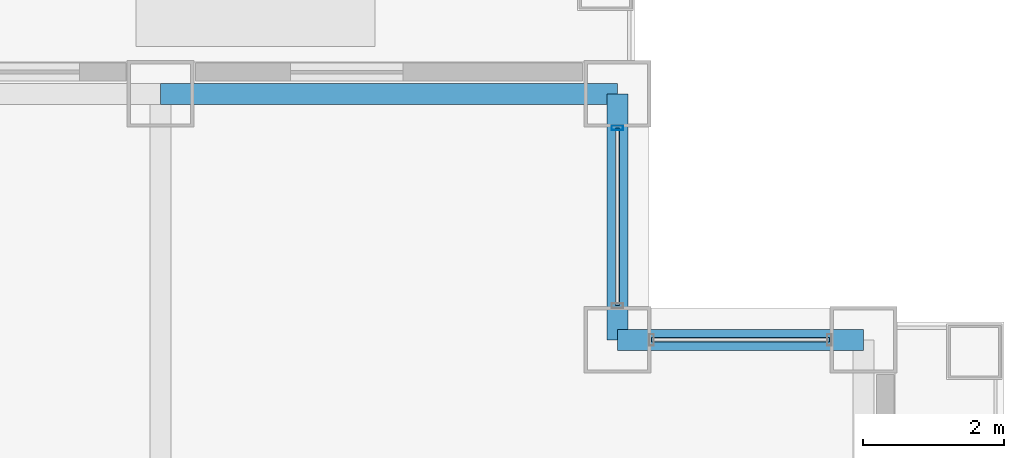
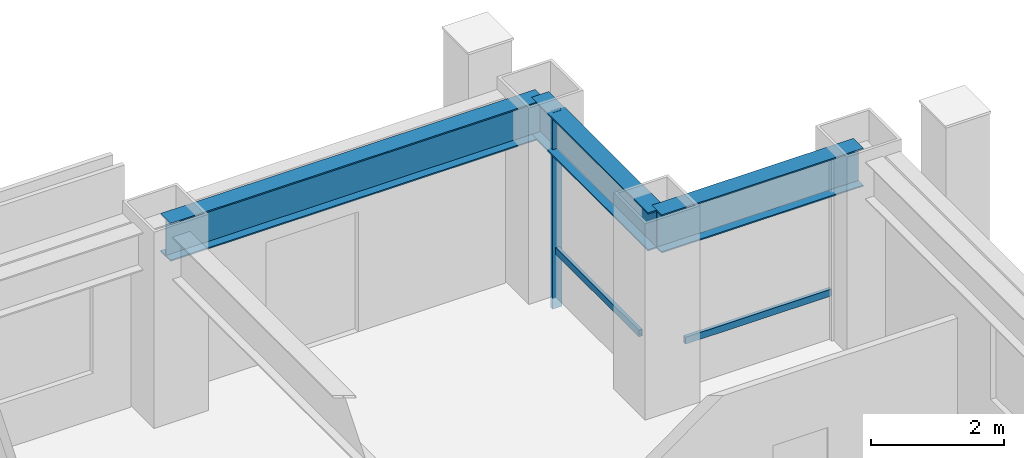
# One storey, part 22 of 31: 3 beams, 3 members, 2 elements without a shape of their own.
"""IFC4 building model written with IfcOpenShell, lengths in metres."""

from ifc_helpers import new_model, si_unit, direction, frame, origin, origin_2d, place, context, subcontext, project, spatial, hollow_rectangle, i_section, extrude, material, layer, layer_set, material_profile, profile_set, type_object, element, aggregate, save


model = new_model("IFC4")

# Units and contexts
model_context = context("Model", 3, precision=1e-05, world=origin(), true_north=direction((0.0, 1.0)))
body_context = subcontext(model_context, "Body", "Model", "MODEL_VIEW")
ifc_project = project(units=[si_unit("LENGTHUNIT", "METRE"), si_unit("AREAUNIT", "SQUARE_METRE"), si_unit("VOLUMEUNIT", "CUBIC_METRE"), si_unit("PLANEANGLEUNIT", "RADIAN"), si_unit("MASSUNIT", "GRAM", prefix="KILO")], contexts=[model_context])

# Site, building, storey
site_placement = place(None, origin())
site = spatial("IfcSite", under=ifc_project, at=site_placement, CompositionType="ELEMENT")
building_placement = place(site_placement, origin())
building = spatial("IfcBuilding", under=site, at=building_placement, Name="Brelmoor Portico Tower", CompositionType="ELEMENT")
storey_placement = place(building_placement, frame((0.0, 0.0, 38.39990234375)))
storey = spatial("IfcBuildingStorey", under=building, at=storey_placement, Name="L09", CompositionType="ELEMENT", Elevation=38.39990234375)

# Beams
ifc_material_1 = material(Name="Steel Q355B", Category="steel")
ifc_material_profile_1 = material_profile(ifc_material_1, i_section(OverallWidth=0.300048828125, OverallDepth=0.699951171875, WebThickness=0.012939453125, FlangeThickness=0.02392578125, at=origin_2d()), Name="HN 700x300x13x24")
ifc_profile_set_1 = profile_set([ifc_material_profile_1], Name="Steel Q355B")
beam_type = type_object("IfcBeamType", Name="BM-SP-700", PredefinedType="SPANDREL", material=ifc_profile_set_1)
beam_1_placement = place(storey_placement, frame((21.050048828125, 18.050048828125, 3.050048828125), z_axis=(1.0, 0.0, 0.0), x_axis=(0.0, 1.0, 0.0)))
element("IfcBeam", 1, at=beam_1_placement, inside=storey, type_object=beam_type, Name="L09 Perimeter Spandrel Beam SP-09", PredefinedType="SPANDREL", context=body_context, shape_type="SweptSolid", body=[
    extrude(i_section(OverallWidth=0.300048828125, OverallDepth=0.699951171875, WebThickness=0.012939453125, FlangeThickness=0.02392578125, at=origin_2d()), origin(), (0.0, 0.0, 1.0), 3.5),
])
beam_2_placement = place(storey_placement, frame((14.550048828125, 21.550048828125, 3.050048828125), z_axis=(1.0, 0.0, 0.0), x_axis=(0.0, 1.0, 0.0)))
element("IfcBeam", 2, at=beam_2_placement, inside=storey, type_object=beam_type, Name="L09 Perimeter Spandrel Beam SP-14", PredefinedType="SPANDREL", context=body_context, shape_type="SweptSolid", body=[
    extrude(i_section(OverallWidth=0.300048828125, OverallDepth=0.699951171875, WebThickness=0.012939453125, FlangeThickness=0.02392578125, at=origin_2d()), origin(), (0.0, 0.0, 1.0), 6.5),
])
beam_3_placement = place(storey_placement, frame((21.050048828125, 18.050048828125, 3.050048828125), z_axis=(0.0, 1.0, 0.0), x_axis=(-1.0, 0.0, 0.0)))
element("IfcBeam", 3, at=beam_3_placement, inside=storey, type_object=beam_type, Name="L09 Perimeter Spandrel Beam SP-21", PredefinedType="SPANDREL", context=body_context, shape_type="SweptSolid", body=[
    extrude(i_section(OverallWidth=0.300048828125, OverallDepth=0.699951171875, WebThickness=0.012939453125, FlangeThickness=0.02392578125, at=origin_2d()), origin(), (0.0, 0.0, 1.0), 3.5),
])

# Curtain wall, member
ifc_material_2 = material(Name="Anodised Aluminium Alloy 6063-T6", Category="aluminium")
ifc_layer = layer(ifc_material_2, 0.179931640625)
ifc_layer_set = layer_set([ifc_layer], Name="Anodised Aluminium Alloy 6063-T6")
curtain_wall_type = type_object("IfcCurtainWallType", Name="CW-NOTCH-CHAMFER", PredefinedType="NOTDEFINED", material=ifc_layer_set)
curtain_wall_1_placement = place(storey_placement, origin())
curtain_wall_1 = element("IfcCurtainWall", 4, at=curtain_wall_1_placement, inside=storey, type_object=curtain_wall_type, Name="L09 Curtain Wall CWN-L09-NEV", PredefinedType="NOTDEFINED")
ifc_material_profile_2 = material_profile(ifc_material_2, hollow_rectangle(XDim=0.06494140625, YDim=0.1650390625, WallThickness=0.00390625, at=origin_2d()), Name="ALU MULLION 65x165")
ifc_profile_set_2 = profile_set([ifc_material_profile_2], Name="Anodised Aluminium Alloy 6063-T6")
member_type_1 = type_object("IfcMemberType", Name="MB-CW-MULL-165", PredefinedType="MULLION", material=ifc_profile_set_2)
member_1_placement = place(storey_placement, frame((21.050048828125, 21.06494140625, -0.199951171875), z_axis=(0.0, 0.0, 1.0), x_axis=(0.0, 1.0, 0.0)))
member_1 = element("IfcMember", 5, at=member_1_placement, type_object=member_type_1, Name="CWN-L09-NEV Mullion 01", PredefinedType="MULLION", context=body_context, shape_type="SweptSolid", body=[
    extrude(hollow_rectangle(XDim=0.06494140625, YDim=0.1650390625, WallThickness=0.00390625, at=origin_2d()), origin(), (0.0, 0.0, 1.0), 3.60009765625),
])

curtain_wall_2_placement = place(storey_placement, origin())
curtain_wall_2 = element("IfcCurtainWall", 6, at=curtain_wall_2_placement, inside=storey, type_object=curtain_wall_type, Name="L09 Curtain Wall CWN-L09-NEH", PredefinedType="NOTDEFINED")
ifc_material_profile_3 = material_profile(ifc_material_2, hollow_rectangle(XDim=0.06005859375, YDim=0.125, WallThickness=0.00341796875, at=origin_2d()), Name="ALU TRANSOM 60x125")
ifc_profile_set_3 = profile_set([ifc_material_profile_3], Name="Anodised Aluminium Alloy 6063-T6")
member_type_2 = type_object("IfcMemberType", Name="MB-CW-TRAN-125", PredefinedType="USERDEFINED", material=ifc_profile_set_3)
member_2_placement = place(storey_placement, frame((21.534912109375, 18.050048828125, 0.85009765625), z_axis=(1.0, 0.0, 0.0), x_axis=(0.0, 1.0, 0.0)))
member_2 = element("IfcMember", 7, at=member_2_placement, type_object=member_type_2, Name="CWN-L09-NEH Transom 1-00", ObjectType="TRANSOM", PredefinedType="USERDEFINED", context=body_context, shape_type="SweptSolid", body=[
    extrude(hollow_rectangle(XDim=0.06005859375, YDim=0.125, WallThickness=0.00341796875, at=origin_2d()), origin(), (0.0, 0.0, 1.0), 2.530029296875),
])
aggregate(curtain_wall_2, [member_2])

# Member
member_3_placement = place(storey_placement, frame((21.050048828125, 18.534912109375, 0.85009765625), z_axis=(0.0, 1.0, 0.0), x_axis=(-1.0, 0.0, 0.0)))
member_3 = element("IfcMember", 8, at=member_3_placement, type_object=member_type_2, Name="CWN-L09-NEV Transom 1-00", ObjectType="TRANSOM", PredefinedType="USERDEFINED", context=body_context, shape_type="SweptSolid", body=[
    extrude(hollow_rectangle(XDim=0.06005859375, YDim=0.125, WallThickness=0.00341796875, at=origin_2d()), origin(), (0.0, 0.0, 1.0), 2.530029296875),
])

aggregate(curtain_wall_1, [member_1, member_3])

save(model, "model.ifc")
